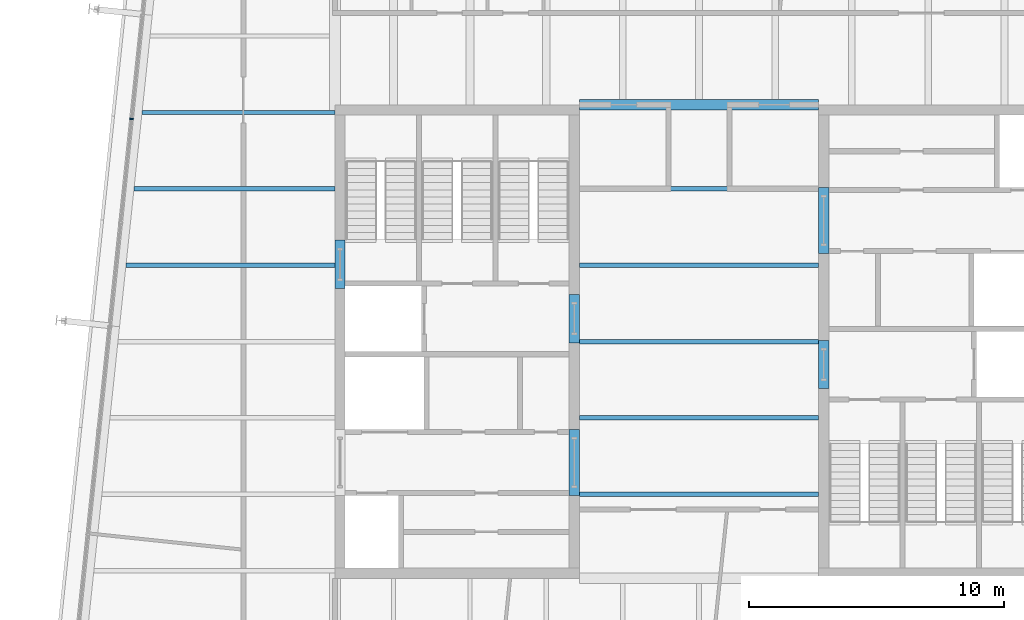
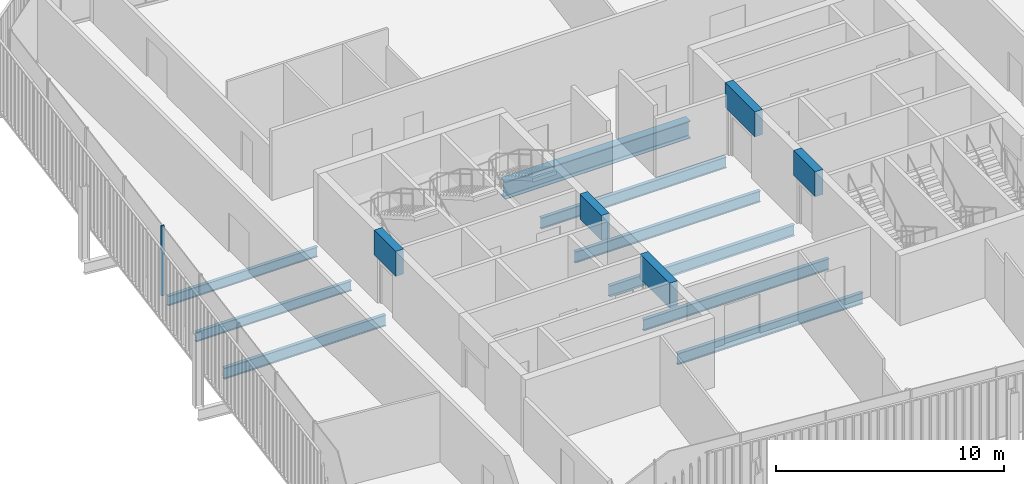
# One storey, part 8 of 20: 14 beams, 1 member, 1 element without a shape of its own.
"""IFC4 building model written with IfcOpenShell, lengths in metres."""

import ifcopenshell
import ifcopenshell.guid

model = None  # the IFC model being written
_history = None  # IfcOwnerHistory: only IFC2X3 demands one
_inside = {}  # id of a spatial element -> (the spatial element, [elements in it])
_under = {}  # id of a project, library or spatial element -> (it, [spatial elements below it])
_declared = {}  # id of a project -> (the project, [libraries it declares])
_typed = {}  # id of a type object -> (the type object, [elements of that type])
_made_of = {}  # id of a material, layer set ... -> (it, [elements and type objects made of it])


def new_model(schema):
    """Start an empty IFC model of exactly this schema.

    Asked for "IFC4X3", IfcOpenShell would pick the latest addendum, in which some entities
    have other attributes; the version numbers below select the first issue.
    IFC2X3 requires an IfcOwnerHistory on every rooted entity: one is made here for all.
    """
    global model, _history
    if schema == "IFC4X3":
        model = ifcopenshell.file(schema_version=(4, 3, 0, 0))
    else:
        model = ifcopenshell.file(schema=schema)
    _inside.clear()
    _under.clear()
    _declared.clear()
    _typed.clear()
    _made_of.clear()
    _history = None
    if model.schema == "IFC2X3":
        org = make("IfcOrganization", Name="unknown")
        user = make(
            "IfcPersonAndOrganization",
            ThePerson=make("IfcPerson", FamilyName="unknown"),
            TheOrganization=org,
        )
        app = make(
            "IfcApplication",
            ApplicationDeveloper=org,
            Version="unknown",
            ApplicationFullName="unknown",
            ApplicationIdentifier="unknown",
        )
        _history = make(
            "IfcOwnerHistory",
            OwningUser=user,
            OwningApplication=app,
            ChangeAction="ADDED",
            CreationDate=0,
        )
    return model


def make(cls, **values):
    """One entity of the class cls with the attributes given. An attribute that is None is left unset."""
    return model.create_entity(
        cls, **{name: value for name, value in values.items() if value is not None}
    )


def rooted(cls, **values):
    """An entity with a GlobalId (a new one), such as an element, a storey or a relation."""
    return make(cls, GlobalId=ifcopenshell.guid.new(), OwnerHistory=_history, **values)


def si_unit(unit_type, name, prefix=None):
    """IfcSIUnit, for example si_unit("LENGTHUNIT", "METRE", prefix="MILLI")."""
    return make("IfcSIUnit", UnitType=unit_type, Prefix=prefix, Name=name)


def assignment(units):
    """IfcUnitAssignment: the units of a project."""
    return None if units is None else make("IfcUnitAssignment", Units=units)


def point(xyz):
    """IfcCartesianPoint."""
    return None if xyz is None else make("IfcCartesianPoint", Coordinates=xyz)


def direction(xyz):
    """IfcDirection."""
    return None if xyz is None else make("IfcDirection", DirectionRatios=xyz)


def frame(location, z_axis=None, x_axis=None):
    """IfcAxis2Placement3D, a coordinate frame: its origin and axes. An axis left out is left unset."""
    return make(
        "IfcAxis2Placement3D",
        Location=point(location),
        Axis=direction(z_axis),
        RefDirection=direction(x_axis),
    )


def frame_2d(location, x_axis=None):
    """IfcAxis2Placement2D, a coordinate frame in the plane: its origin and x axis."""
    return make(
        "IfcAxis2Placement2D", Location=point(location), RefDirection=direction(x_axis)
    )


def origin():
    """The frame at (0, 0, 0) with its axes left unset."""
    return frame((0.0, 0.0, 0.0))


def origin_2d():
    """The frame at (0, 0) in the plane with its x axis left unset."""
    return frame_2d((0.0, 0.0))


def place(relative_to, where):
    """IfcLocalPlacement: puts the frame where relative to a parent placement (None: the world)."""
    return make(
        "IfcLocalPlacement", PlacementRelTo=relative_to, RelativePlacement=where
    )


def context(
    kind, dimensions, precision=None, world=None, true_north=None, identifier=None
):
    """IfcGeometricRepresentationContext, for example the 3D "Model" context."""
    return make(
        "IfcGeometricRepresentationContext",
        ContextIdentifier=identifier,
        ContextType=kind,
        CoordinateSpaceDimension=dimensions,
        Precision=precision,
        WorldCoordinateSystem=world,
        TrueNorth=true_north,
    )


def subcontext(parent, identifier, kind, view, scale=None):
    """IfcGeometricRepresentationSubContext, for example "Body" below "Model"."""
    return make(
        "IfcGeometricRepresentationSubContext",
        ContextIdentifier=identifier,
        ContextType=kind,
        ParentContext=parent,
        TargetScale=scale,
        TargetView=view,
    )


def project(units=None, contexts=None):
    """IfcProject with its units and contexts."""
    return rooted(
        "IfcProject",
        Name="project",
        RepresentationContexts=contexts,
        UnitsInContext=assignment(units),
    )


def spatial(cls, under=None, at=None, **own):
    """A site, building, storey or space (cls), placed at a placement, below another one or the project."""
    s = rooted(cls, ObjectPlacement=at, **own)
    if under is not None:
        _under.setdefault(under.id(), (under, []))[1].append(s)
    return s


def profile(cls, at=None, kind="AREA", **sizes):
    """A parametric profile (cls). Its sizes go by their IFC names, for example OverallWidth=200.0."""
    return make(cls, ProfileType=kind, Position=at, **sizes)


def rectangle(**sizes):
    """IfcRectangleProfileDef."""
    return profile("IfcRectangleProfileDef", **sizes)


def i_section(**sizes):
    """IfcIShapeProfileDef."""
    return profile("IfcIShapeProfileDef", **sizes)


def extrude(swept, where, along, depth):
    """IfcExtrudedAreaSolid: the profile swept, set in the frame where, extruded along a direction by depth."""
    return make(
        "IfcExtrudedAreaSolid",
        SweptArea=swept,
        Position=where,
        ExtrudedDirection=direction(along),
        Depth=depth,
    )


def shape(context_of_items, identifier, shape_type, items):
    """IfcShapeRepresentation: the items that make up one representation, for example the "Body"."""
    return make(
        "IfcShapeRepresentation",
        ContextOfItems=context_of_items,
        RepresentationIdentifier=identifier,
        RepresentationType=shape_type,
        Items=items,
    )


def material(Name=None, Category=None):
    """IfcMaterial."""
    return make("IfcMaterial", Name=Name, Category=Category)


def layer(
    of_material, thickness, ventilated=None, Name=None, Category=None, Priority=None
):
    """IfcMaterialLayer: one layer of a wall or slab, of a material (None: an air gap)."""
    return make(
        "IfcMaterialLayer",
        Material=of_material,
        LayerThickness=thickness,
        IsVentilated=ventilated,
        Name=Name,
        Category=Category,
        Priority=Priority,
    )


def layer_set(layers, Name=None):
    """IfcMaterialLayerSet."""
    return make("IfcMaterialLayerSet", MaterialLayers=layers, LayerSetName=Name)


def material_profile(
    of_material, cross_section, Name=None, Category=None, Priority=None
):
    """IfcMaterialProfile: a cross section and its material."""
    return make(
        "IfcMaterialProfile",
        Name=Name,
        Material=of_material,
        Profile=cross_section,
        Priority=Priority,
        Category=Category,
    )


def profile_set(profiles, Name=None, composite=None):
    """IfcMaterialProfileSet."""
    return make(
        "IfcMaterialProfileSet",
        Name=Name,
        MaterialProfiles=profiles,
        CompositeProfile=composite,
    )


def made_of(thing, what):
    """Note that an element or type object is made of a material, layer set ...; save() writes the relation."""
    if what is not None:
        _made_of.setdefault(what.id(), (what, []))[1].append(thing)
    return thing


def type_object(cls, material=None, **own):
    """A type object (cls), such as IfcWallType, which elements share."""
    return made_of(rooted(cls, **own), material)


def element(
    cls,
    number,
    at=None,
    inside=None,
    cuts=None,
    type_object=None,
    material=None,
    context=None,
    identifier="Body",
    shape_type=None,
    held_by="IfcProductDefinitionShape",
    body=None,
    shapes=None,
    **own,
):
    """One element of the class cls, such as IfcWall. Its Tag is "e" and its number.

    at: its placement. inside: the storey or other place that contains it. cuts: it is an
    opening in that element (IfcRelVoidsElement). A single representation is given by context,
    identifier, shape_type and body (its items); several are given by shapes. held_by: the class
    of the entity that holds the representations. save() writes the other relations.
    """
    e = rooted(cls, Tag="e%d" % number, ObjectPlacement=at, **own)
    if body is not None:
        shapes = [shape(context, identifier, shape_type, body)]
    if shapes is not None:
        e.Representation = make(held_by, Representations=shapes)
    if inside is not None:
        _inside.setdefault(inside.id(), (inside, []))[1].append(e)
    if cuts is not None:
        rooted(
            "IfcRelVoidsElement", RelatingBuildingElement=cuts, RelatedOpeningElement=e
        )
    if type_object is not None:
        _typed.setdefault(type_object.id(), (type_object, []))[1].append(e)
    return made_of(e, material)


def aggregate(whole, parts):
    """IfcRelAggregates: a whole, such as a stair, and the parts it consists of."""
    return rooted("IfcRelAggregates", RelatingObject=whole, RelatedObjects=parts)


def save(model, path):
    """Write the relations noted so far, then the file.

    IfcRelAggregates (storeys below a building ...), IfcRelContainedInSpatialStructure (elements
    in a storey), IfcRelDefinesByType, IfcRelAssociatesMaterial and IfcRelDeclares: one each for
    every whole, place, type object, material and project.
    """
    for whole, parts in _under.values():
        aggregate(whole, parts)
    for where, things in _inside.values():
        rooted(
            "IfcRelContainedInSpatialStructure",
            RelatedElements=things,
            RelatingStructure=where,
        )
    for kind, things in _typed.values():
        rooted("IfcRelDefinesByType", RelatedObjects=things, RelatingType=kind)
    for what, things in _made_of.values():
        rooted("IfcRelAssociatesMaterial", RelatedObjects=things, RelatingMaterial=what)
    for by, libraries in _declared.values():
        rooted("IfcRelDeclares", RelatingContext=by, RelatedDefinitions=libraries)
    model.write(path)


model = new_model("IFC4")

# Units and contexts
model_context = context("Model", 3, precision=1e-05, world=origin(), true_north=direction((0.0, 1.0)))
body_context = subcontext(model_context, "Body", "Model", "MODEL_VIEW")
ifc_project = project(units=[si_unit("LENGTHUNIT", "METRE"), si_unit("AREAUNIT", "SQUARE_METRE"), si_unit("VOLUMEUNIT", "CUBIC_METRE"), si_unit("PLANEANGLEUNIT", "RADIAN"), si_unit("MASSUNIT", "GRAM", prefix="KILO")], contexts=[model_context])

# Site, building, storey
site_placement = place(None, origin())
site = spatial("IfcSite", under=ifc_project, at=site_placement, CompositionType="ELEMENT")
building_placement = place(site_placement, origin())
building = spatial("IfcBuilding", under=site, at=building_placement, Name="Millrace Tower", CompositionType="ELEMENT")
storey_placement = place(building_placement, frame((0.0, 0.0, 295.5)))
storey = spatial("IfcBuildingStorey", under=building, at=storey_placement, Name="L68", CompositionType="ELEMENT", Elevation=295.5)

# Curtain wall, member
ifc_material_1 = material(Name="Aluminium and glass", Category="aluminium")
ifc_layer = layer(ifc_material_1, 0.14990234375)
ifc_layer_set = layer_set([ifc_layer], Name="Aluminium and glass")
curtain_wall_type = type_object("IfcCurtainWallType", Name="CW-1 office vision curtain wall", PredefinedType="NOTDEFINED", material=ifc_layer_set)
curtain_wall_placement = place(storey_placement, origin())
curtain_wall = element("IfcCurtainWall", 1, at=curtain_wall_placement, inside=storey, type_object=curtain_wall_type, Name="Curtain wall E-F08 L68", PredefinedType="NOTDEFINED")
ifc_material_2 = material(Name="Aluminium", Category="aluminium")
ifc_material_profile_1 = material_profile(ifc_material_2, rectangle(XDim=0.06494140625, YDim=0.14990234375, at=origin_2d()))
ifc_profile_set_1 = profile_set([ifc_material_profile_1], Name="Aluminium")
member_type = type_object("IfcMemberType", Name="CW-1 office vision curtain wall mullion", PredefinedType="MULLION", material=ifc_profile_set_1)
member_placement = place(storey_placement, frame((-22.2890625, 8.742431640625, 0.139892578125), z_axis=(0.0, 0.0, 1.0), x_axis=(-0.104528455196, -0.994521896217, 0.0)))
member = element("IfcMember", 2, at=member_placement, type_object=member_type, Name="CW1 mullion E-F08.5", PredefinedType="MULLION", context=body_context, shape_type="SweptSolid", body=[
    extrude(rectangle(XDim=0.06494140625, YDim=0.14990234375, at=origin_2d()), origin(), (0.0, 0.0, 1.0), 3.760009765625),
])
aggregate(curtain_wall, [member])

# Beams
ifc_material_3 = material(Name="Concrete C60", Category="concrete")
ifc_material_profile_2 = material_profile(ifc_material_3, rectangle(XDim=0.39990234375, YDim=1.340087890625, at=origin_2d()))
ifc_profile_set_2 = profile_set([ifc_material_profile_2], Name="Concrete C60")
beam_type_1 = type_object("IfcBeamType", Name="Coupling beam 400 x 1340 Concrete C60, 1300 opening", PredefinedType="BEAM", material=ifc_profile_set_2)
beam_1_placement = place(storey_placement, frame((-14.10009765625, 2.080078125, 3.070068359375), z_axis=(0.0, 1.0, 0.0), x_axis=(-1.0, 0.0, 0.0)))
element("IfcBeam", 3, at=beam_1_placement, inside=storey, type_object=beam_type_1, Name="Coupling beam W L68", PredefinedType="BEAM", context=body_context, shape_type="SweptSolid", body=[
    extrude(rectangle(XDim=0.39990234375, YDim=1.340087890625, at=origin_2d()), origin(), (0.0, 0.0, 1.0), 1.89990234375),
])
for number, where, z_axis, x_axis, name in (
    (4, (-4.89990234375, -0.050048828125, 3.070068359375), (0.0, 1.0, 0.0), (-1.0, 0.0, 0.0), "Coupling beam W L68"),
    (5, (4.89990234375, 0.050048828125, 3.070068359375), (0.0, -1.0, 0.0), (1.0, 0.0, 0.0), "Coupling beam E L68"),
):
    element("IfcBeam", number, at=place(storey_placement, frame(where, z_axis=z_axis, x_axis=x_axis)), inside=storey, type_object=beam_type_1, Name=name, PredefinedType="BEAM", context=body_context, shape_type="SweptSolid", body=[
        extrude(rectangle(XDim=0.39990234375, YDim=1.340087890625, at=origin_2d()), origin(), (0.0, 0.0, 1.0), 1.900146484375),
    ])
ifc_material_4 = material(Name="Concrete C60", Category="concrete")
ifc_material_profile_3 = material_profile(ifc_material_4, rectangle(XDim=0.39990234375, YDim=1.340087890625, at=origin_2d()))
ifc_profile_set_3 = profile_set([ifc_material_profile_3], Name="Concrete C60")
beam_type_2 = type_object("IfcBeamType", Name="Coupling beam 400 x 1340 Concrete C60, 2000 opening", PredefinedType="BEAM", material=ifc_profile_set_3)
for number, where, z_axis, x_axis, name in (
    (6, (-4.89990234375, -6.050048828125, 3.070068359375), (0.0, 1.0, 0.0), (-1.0, 0.0, 0.0), "Coupling beam W L68"),
    (7, (4.89990234375, 6.050048828125, 3.070068359375), (0.0, -1.0, 0.0), (1.0, 0.0, 0.0), "Coupling beam E L68"),
):
    element("IfcBeam", number, at=place(storey_placement, frame(where, z_axis=z_axis, x_axis=x_axis)), inside=storey, type_object=beam_type_2, Name=name, PredefinedType="BEAM", context=body_context, shape_type="SweptSolid", body=[
        extrude(rectangle(XDim=0.39990234375, YDim=1.340087890625, at=origin_2d()), origin(), (0.0, 0.0, 1.0), 2.60009765625),
    ])
ifc_material_5 = material(Name="Steel ASTM A992 Grade 50", Category="steel")
ifc_material_profile_4 = material_profile(ifc_material_5, i_section(OverallWidth=0.1650390625, OverallDepth=0.52587890625, WebThickness=0.0087890625, FlangeThickness=0.011474609375, FilletRadius=0.0126953125, at=origin_2d()))
ifc_profile_set_4 = profile_set([ifc_material_profile_4], Name="Steel ASTM A992 Grade 50")
beam_type_3 = type_object("IfcBeamType", Name="Floor beam W21x44", PredefinedType="JOIST", material=ifc_profile_set_4)
beam_2_placement = place(storey_placement, frame((-22.19287109375, 6.0, -0.4228515625), z_axis=(1.0, 0.0, 0.0), x_axis=(0.0, 1.0, 0.0)))
element("IfcBeam", 8, at=beam_2_placement, inside=storey, type_object=beam_type_3, Name="BM-E-L68-S1-S021", PredefinedType="JOIST", context=body_context, shape_type="SweptSolid", body=[
    extrude(i_section(OverallWidth=0.1650390625, OverallDepth=0.52587890625, WebThickness=0.0087890625, FlangeThickness=0.011474609375, FilletRadius=0.0126953125, at=origin_2d()), origin(), (0.0, 0.0, 1.0), 7.892822265625),
])
beam_3_placement = place(storey_placement, frame((-21.87744140625, 9.0, -0.4228515625), z_axis=(1.0, 0.0, 0.0), x_axis=(0.0, 1.0, 0.0)))
element("IfcBeam", 9, at=beam_3_placement, inside=storey, type_object=beam_type_3, Name="BM-E-L68-S1-S023", PredefinedType="JOIST", context=body_context, shape_type="SweptSolid", body=[
    extrude(i_section(OverallWidth=0.1650390625, OverallDepth=0.52587890625, WebThickness=0.0087890625, FlangeThickness=0.011474609375, FilletRadius=0.0126953125, at=origin_2d()), origin(), (0.0, 0.0, 1.0), 7.577392578125),
])
ifc_material_6 = material(Name="Steel ASTM A992 Grade 50", Category="steel")
ifc_material_profile_5 = material_profile(ifc_material_6, i_section(OverallWidth=0.177978515625, OverallDepth=0.599365234375, WebThickness=0.010009765625, FlangeThickness=0.012939453125, FilletRadius=0.012939453125, at=origin_2d()))
ifc_profile_set_5 = profile_set([ifc_material_profile_5], Name="Steel ASTM A992 Grade 50")
beam_type_4 = type_object("IfcBeamType", Name="Floor beam W24x55", PredefinedType="JOIST", material=ifc_profile_set_5)
for number, where, z_axis, x_axis, name in (
    (10, (-4.699951171875, -6.0, -0.459716796875), (1.0, 0.0, 0.0), (0.0, 1.0, 0.0), "BM-E-L68-S1-S008"),
    (11, (-4.699951171875, -3.0, -0.459716796875), (1.0, 0.0, 0.0), (0.0, 1.0, 0.0), "BM-E-L68-S1-S011"),
    (12, (-4.699951171875, 0.0, -0.459716796875), (1.0, 0.0, 0.0), (0.0, 1.0, 0.0), "BM-E-L68-S1-S014"),
    (13, (-4.699951171875, 3.0, -0.459716796875), (1.0, 0.0, 0.0), (0.0, 1.0, 0.0), "BM-E-L68-S1-S017"),
):
    element("IfcBeam", number, at=place(storey_placement, frame(where, z_axis=z_axis, x_axis=x_axis)), inside=storey, type_object=beam_type_4, Name=name, PredefinedType="JOIST", context=body_context, shape_type="SweptSolid", body=[
        extrude(i_section(OverallWidth=0.177978515625, OverallDepth=0.599365234375, WebThickness=0.010009765625, FlangeThickness=0.012939453125, FilletRadius=0.012939453125, at=origin_2d()), origin(), (0.0, 0.0, 1.0), 9.39990234375),
    ])
beam_4_placement = place(storey_placement, frame((-22.508056640625, 3.0, -0.459716796875), z_axis=(1.0, 0.0, 0.0), x_axis=(0.0, 1.0, 0.0)))
element("IfcBeam", 14, at=beam_4_placement, inside=storey, type_object=beam_type_4, Name="BM-E-L68-S1-S018", PredefinedType="JOIST", context=body_context, shape_type="SweptSolid", body=[
    extrude(i_section(OverallWidth=0.177978515625, OverallDepth=0.599365234375, WebThickness=0.010009765625, FlangeThickness=0.012939453125, FilletRadius=0.012939453125, at=origin_2d()), origin(), (0.0, 0.0, 1.0), 8.2080078125),
])
beam_5_placement = place(storey_placement, frame((-4.699951171875, 6.0, -0.459716796875), z_axis=(1.0, 0.0, 0.0), x_axis=(0.0, 1.0, 0.0)))
element("IfcBeam", 15, at=beam_5_placement, inside=storey, type_object=beam_type_4, Name="BM-E-L68-S1-S020", PredefinedType="JOIST", context=body_context, shape_type="SweptSolid", body=[
    extrude(i_section(OverallWidth=0.177978515625, OverallDepth=0.599365234375, WebThickness=0.010009765625, FlangeThickness=0.012939453125, FilletRadius=0.012939453125, at=origin_2d()), origin(), (0.0, 0.0, 1.0), 9.39990234375),
])
ifc_material_7 = material(Name="Steel ASTM A992 Grade 50", Category="steel")
ifc_material_profile_6 = material_profile(ifc_material_7, i_section(OverallWidth=0.419189453125, OverallDepth=0.927001953125, WebThickness=0.019287109375, FlangeThickness=0.031982421875, FilletRadius=0.024169921875, at=origin_2d()))
ifc_profile_set_6 = profile_set([ifc_material_profile_6], Name="Steel ASTM A992 Grade 50")
beam_type_5 = type_object("IfcBeamType", Name="Girder short span W36x231", PredefinedType="BEAM", material=ifc_profile_set_6)
beam_6_placement = place(storey_placement, frame((-4.699951171875, 9.300048828125, -0.62353515625), z_axis=(1.0, 0.0, 0.0), x_axis=(0.0, 1.0, 0.0)))
element("IfcBeam", 16, at=beam_6_placement, inside=storey, type_object=beam_type_5, Name="BM-E-L68-S1-G058", PredefinedType="BEAM", context=body_context, shape_type="SweptSolid", body=[
    extrude(i_section(OverallWidth=0.419189453125, OverallDepth=0.927001953125, WebThickness=0.019287109375, FlangeThickness=0.031982421875, FilletRadius=0.024169921875, at=origin_2d()), origin(), (0.0, 0.0, 1.0), 9.39990234375),
])

save(model, "model.ifc")
